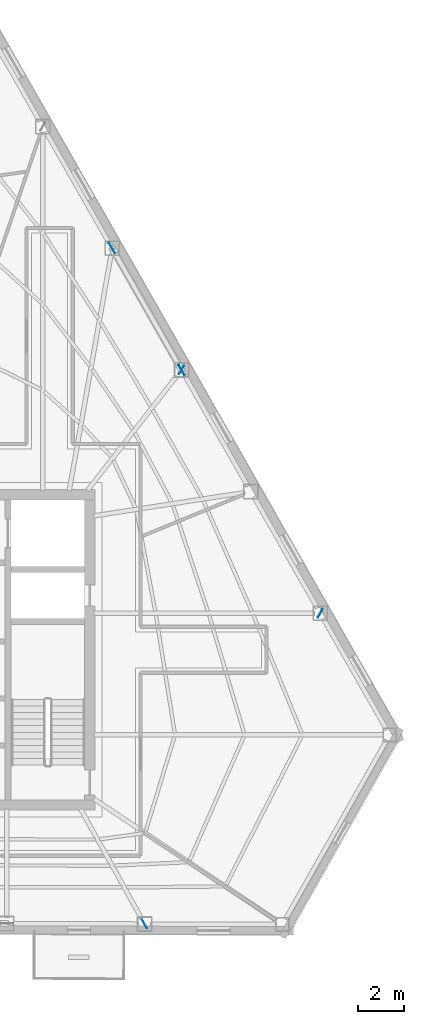
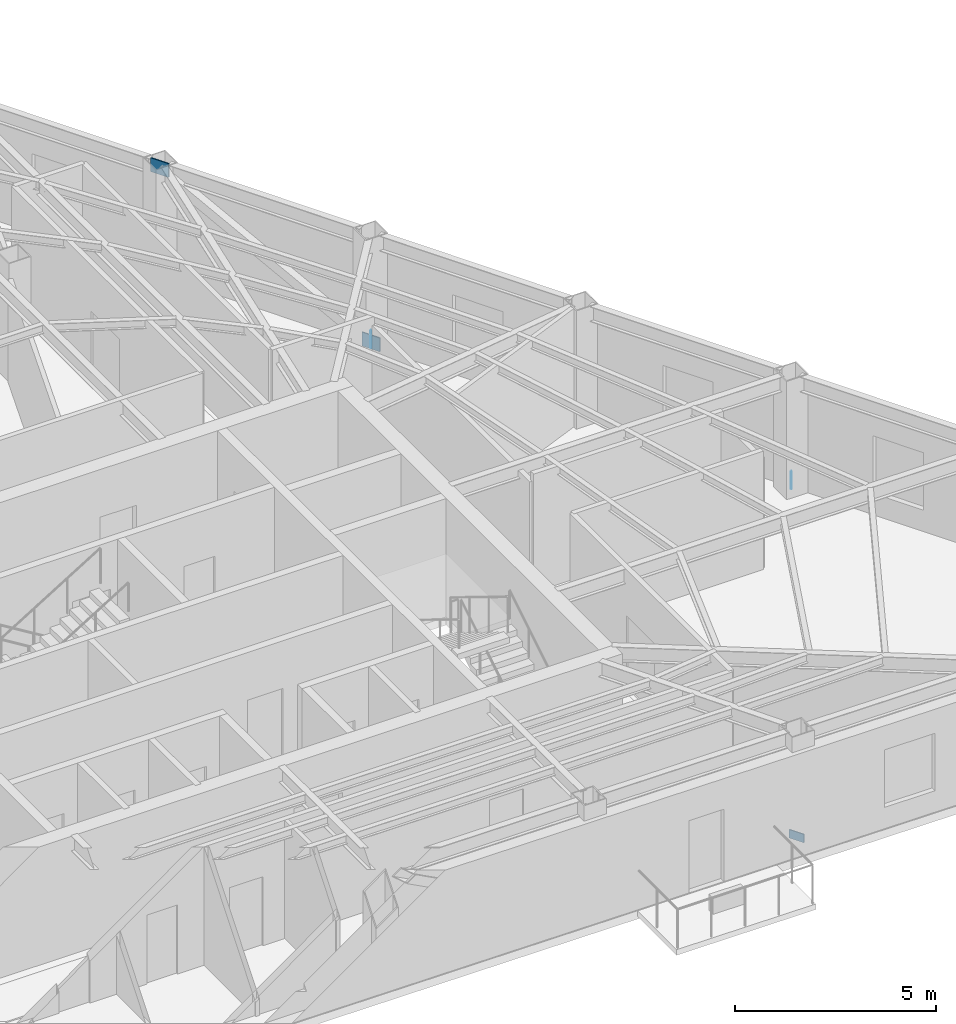
# One storey, part 6 of 13: 5 plates.
"""IFC4 building model written with IfcOpenShell, lengths in metres."""

from ifc_helpers import new_model, si_unit, direction, frame, origin, origin_2d, place, context, subcontext, project, spatial, rectangle, extrude, material, layer, layer_set, type_object, element, save


model = new_model("IFC4")

# Units and contexts
model_context = context("Model", 3, precision=1e-05, world=origin(), true_north=direction((0.0, 1.0)))
body_context = subcontext(model_context, "Body", "Model", "MODEL_VIEW")
ifc_project = project(units=[si_unit("LENGTHUNIT", "METRE"), si_unit("AREAUNIT", "SQUARE_METRE"), si_unit("VOLUMEUNIT", "CUBIC_METRE"), si_unit("PLANEANGLEUNIT", "RADIAN"), si_unit("MASSUNIT", "GRAM", prefix="KILO")], contexts=[model_context])

# Site, building, storey
site_placement = place(None, origin())
site = spatial("IfcSite", under=ifc_project, at=site_placement, CompositionType="ELEMENT")
building_placement = place(site_placement, origin())
building = spatial("IfcBuilding", under=site, at=building_placement, Name="Kavelnor Concourse Tower", CompositionType="ELEMENT")
storey_placement = place(building_placement, frame((0.0, 0.0, 168.85009765625)))
storey = spatial("IfcBuildingStorey", under=building, at=storey_placement, Name="L42", CompositionType="ELEMENT", Elevation=168.85009765625)

# Plates
ifc_material = material(Name="Steel Grade 350", Category="steel")
ifc_layer_1 = layer(ifc_material, 0.031982421875, Name="Steel Grade 350")
ifc_layer_set_1 = layer_set([ifc_layer_1], Name="Steel Grade 350")
plate_type_1 = type_object("IfcPlateType", Name="PL-GUSSET-TUBE-Z1", PredefinedType="USERDEFINED", material=ifc_layer_set_1)
for number, where, z_axis, x_axis, name in (
    (1, (51.72314453125, 28.216796875, 0.010009765625), (0.0, 0.0, 1.0), (-0.495307056088, 0.868717975058, 0.0), "L42 Tube Brace Gusset GP3 F2-B3 End Gusset A"),
    (2, (48.705078125, 33.510009765625, 3.159912109375), (0.0, 0.0, 1.0), (-0.495307056088, 0.868717975058, 0.0), "L42 Tube Brace Gusset GP3 F2-B3 End Gusset B"),
):
    element("IfcPlate", number, at=place(storey_placement, frame(where, z_axis=z_axis, x_axis=x_axis)), inside=storey, type_object=plate_type_1, Name=name, ObjectType="GUSSET_PLATE", PredefinedType="USERDEFINED", context=body_context, shape_type="SweptSolid", body=[
        extrude(rectangle(XDim=0.52001953125, YDim=0.031982421875, at=origin_2d()), origin(), (0.0, 0.0, 1.0), 0.419921875),
    ])
ifc_layer_2 = layer(ifc_material, 0.02490234375, Name="Steel Grade 350")
ifc_layer_set_2 = layer_set([ifc_layer_2], Name="Steel Grade 350")
plate_type_2 = type_object("IfcPlateType", Name="PL-SPLICE-FLANGE", PredefinedType="SHEET", material=ifc_layer_set_2)
for number, where, z_axis, x_axis, name in (
    (3, (50.11572265625, 4.21630859375, 0.169921875), (0.0, 0.0, 1.0), (-0.5, 0.866025403784, 0.0), "L42 Column Flange Splice Plate F1-B5"),
    (4, (57.729736328125, 17.68212890625, 0.169921875), (0.0, 0.0, 1.0), (-0.5, -0.866025403784, 0.0), "L42 Column Flange Splice Plate F2-B1"),
    (5, (51.71728515625, 28.227294921875, 0.169921875), (0.0, 0.0, 1.0), (-0.5, -0.866025403784, 0.0), "L42 Column Flange Splice Plate F2-B3"),
):
    element("IfcPlate", number, at=place(storey_placement, frame(where, z_axis=z_axis, x_axis=x_axis)), inside=storey, type_object=plate_type_2, Name=name, PredefinedType="SHEET", context=body_context, shape_type="SweptSolid", body=[
        extrude(rectangle(XDim=0.419921875, YDim=0.02490234375, at=origin_2d()), origin(), (0.0, 0.0, 1.0), 0.260009765625),
    ])

save(model, "model.ifc")
